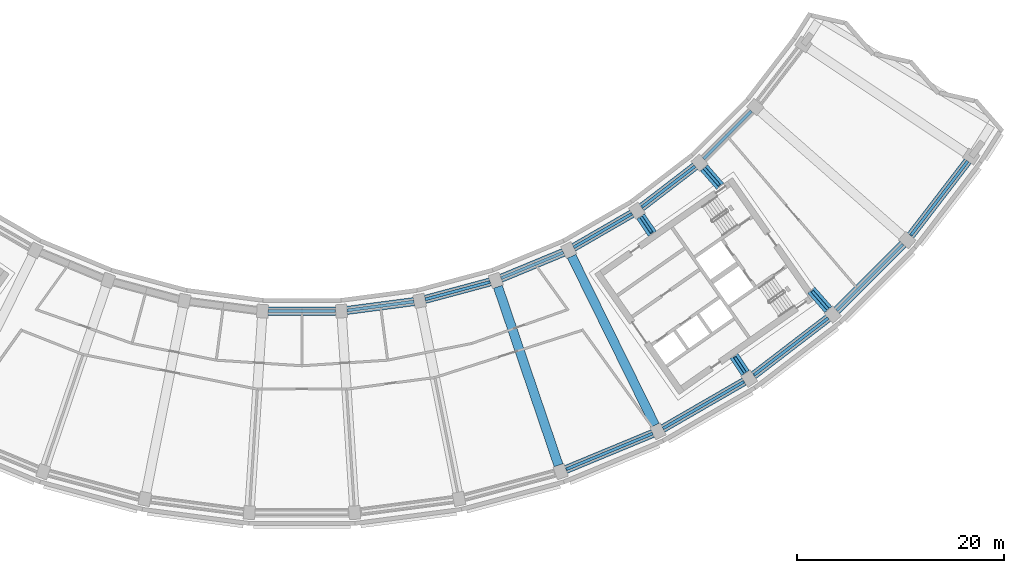
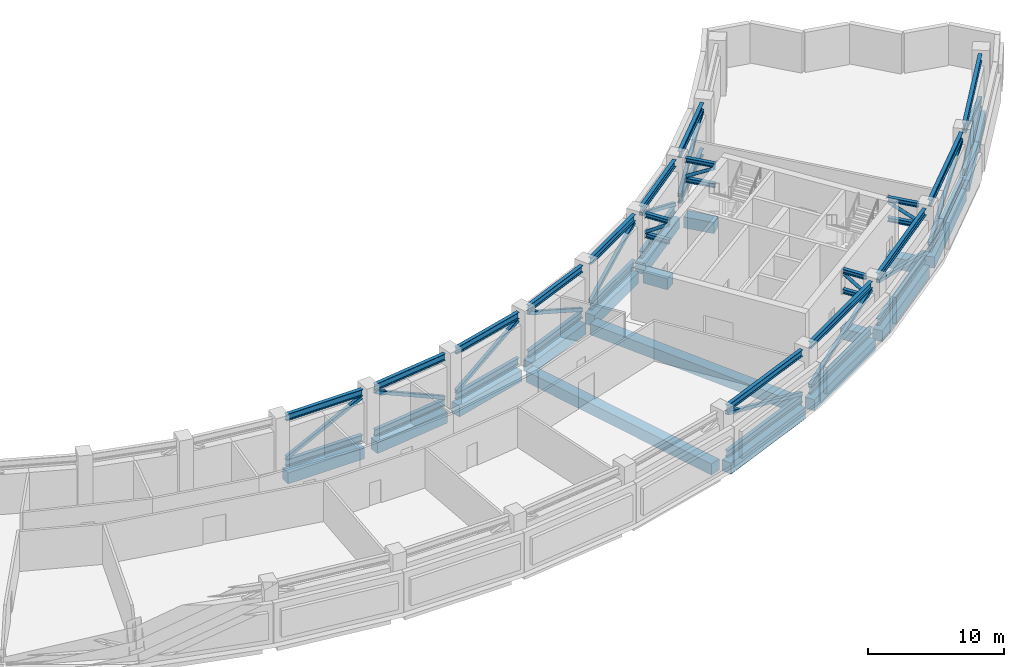
# One storey, part 3 of 24: 48 members, 17 beams.
"""IFC4 building model written with IfcOpenShell, lengths in metres."""

import ifcopenshell
import ifcopenshell.guid

model = None  # the IFC model being written
_history = None  # IfcOwnerHistory: only IFC2X3 demands one
_inside = {}  # id of a spatial element -> (the spatial element, [elements in it])
_under = {}  # id of a project, library or spatial element -> (it, [spatial elements below it])
_declared = {}  # id of a project -> (the project, [libraries it declares])
_typed = {}  # id of a type object -> (the type object, [elements of that type])
_made_of = {}  # id of a material, layer set ... -> (it, [elements and type objects made of it])


def new_model(schema):
    """Start an empty IFC model of exactly this schema.

    Asked for "IFC4X3", IfcOpenShell would pick the latest addendum, in which some entities
    have other attributes; the version numbers below select the first issue.
    IFC2X3 requires an IfcOwnerHistory on every rooted entity: one is made here for all.
    """
    global model, _history
    if schema == "IFC4X3":
        model = ifcopenshell.file(schema_version=(4, 3, 0, 0))
    else:
        model = ifcopenshell.file(schema=schema)
    _inside.clear()
    _under.clear()
    _declared.clear()
    _typed.clear()
    _made_of.clear()
    _history = None
    if model.schema == "IFC2X3":
        org = make("IfcOrganization", Name="unknown")
        user = make(
            "IfcPersonAndOrganization",
            ThePerson=make("IfcPerson", FamilyName="unknown"),
            TheOrganization=org,
        )
        app = make(
            "IfcApplication",
            ApplicationDeveloper=org,
            Version="unknown",
            ApplicationFullName="unknown",
            ApplicationIdentifier="unknown",
        )
        _history = make(
            "IfcOwnerHistory",
            OwningUser=user,
            OwningApplication=app,
            ChangeAction="ADDED",
            CreationDate=0,
        )
    return model


def make(cls, **values):
    """One entity of the class cls with the attributes given. An attribute that is None is left unset."""
    return model.create_entity(
        cls, **{name: value for name, value in values.items() if value is not None}
    )


def rooted(cls, **values):
    """An entity with a GlobalId (a new one), such as an element, a storey or a relation."""
    return make(cls, GlobalId=ifcopenshell.guid.new(), OwnerHistory=_history, **values)


def si_unit(unit_type, name, prefix=None):
    """IfcSIUnit, for example si_unit("LENGTHUNIT", "METRE", prefix="MILLI")."""
    return make("IfcSIUnit", UnitType=unit_type, Prefix=prefix, Name=name)


def assignment(units):
    """IfcUnitAssignment: the units of a project."""
    return None if units is None else make("IfcUnitAssignment", Units=units)


def point(xyz):
    """IfcCartesianPoint."""
    return None if xyz is None else make("IfcCartesianPoint", Coordinates=xyz)


def direction(xyz):
    """IfcDirection."""
    return None if xyz is None else make("IfcDirection", DirectionRatios=xyz)


def frame(location, z_axis=None, x_axis=None):
    """IfcAxis2Placement3D, a coordinate frame: its origin and axes. An axis left out is left unset."""
    return make(
        "IfcAxis2Placement3D",
        Location=point(location),
        Axis=direction(z_axis),
        RefDirection=direction(x_axis),
    )


def frame_2d(location, x_axis=None):
    """IfcAxis2Placement2D, a coordinate frame in the plane: its origin and x axis."""
    return make(
        "IfcAxis2Placement2D", Location=point(location), RefDirection=direction(x_axis)
    )


def origin():
    """The frame at (0, 0, 0) with its axes left unset."""
    return frame((0.0, 0.0, 0.0))


def origin_2d():
    """The frame at (0, 0) in the plane with its x axis left unset."""
    return frame_2d((0.0, 0.0))


def place(relative_to, where):
    """IfcLocalPlacement: puts the frame where relative to a parent placement (None: the world)."""
    return make(
        "IfcLocalPlacement", PlacementRelTo=relative_to, RelativePlacement=where
    )


def context(
    kind, dimensions, precision=None, world=None, true_north=None, identifier=None
):
    """IfcGeometricRepresentationContext, for example the 3D "Model" context."""
    return make(
        "IfcGeometricRepresentationContext",
        ContextIdentifier=identifier,
        ContextType=kind,
        CoordinateSpaceDimension=dimensions,
        Precision=precision,
        WorldCoordinateSystem=world,
        TrueNorth=true_north,
    )


def subcontext(parent, identifier, kind, view, scale=None):
    """IfcGeometricRepresentationSubContext, for example "Body" below "Model"."""
    return make(
        "IfcGeometricRepresentationSubContext",
        ContextIdentifier=identifier,
        ContextType=kind,
        ParentContext=parent,
        TargetScale=scale,
        TargetView=view,
    )


def project(units=None, contexts=None):
    """IfcProject with its units and contexts."""
    return rooted(
        "IfcProject",
        Name="project",
        RepresentationContexts=contexts,
        UnitsInContext=assignment(units),
    )


def spatial(cls, under=None, at=None, **own):
    """A site, building, storey or space (cls), placed at a placement, below another one or the project."""
    s = rooted(cls, ObjectPlacement=at, **own)
    if under is not None:
        _under.setdefault(under.id(), (under, []))[1].append(s)
    return s


def profile(cls, at=None, kind="AREA", **sizes):
    """A parametric profile (cls). Its sizes go by their IFC names, for example OverallWidth=200.0."""
    return make(cls, ProfileType=kind, Position=at, **sizes)


def rectangle(**sizes):
    """IfcRectangleProfileDef."""
    return profile("IfcRectangleProfileDef", **sizes)


def hollow_rectangle(**sizes):
    """IfcRectangleHollowProfileDef."""
    return profile("IfcRectangleHollowProfileDef", **sizes)


def hollow_circle(**sizes):
    """IfcCircleHollowProfileDef."""
    return profile("IfcCircleHollowProfileDef", **sizes)


def i_section(**sizes):
    """IfcIShapeProfileDef."""
    return profile("IfcIShapeProfileDef", **sizes)


def extrude(swept, where, along, depth):
    """IfcExtrudedAreaSolid: the profile swept, set in the frame where, extruded along a direction by depth."""
    return make(
        "IfcExtrudedAreaSolid",
        SweptArea=swept,
        Position=where,
        ExtrudedDirection=direction(along),
        Depth=depth,
    )


def shape(context_of_items, identifier, shape_type, items):
    """IfcShapeRepresentation: the items that make up one representation, for example the "Body"."""
    return make(
        "IfcShapeRepresentation",
        ContextOfItems=context_of_items,
        RepresentationIdentifier=identifier,
        RepresentationType=shape_type,
        Items=items,
    )


def material(Name=None, Category=None):
    """IfcMaterial."""
    return make("IfcMaterial", Name=Name, Category=Category)


def material_profile(
    of_material, cross_section, Name=None, Category=None, Priority=None
):
    """IfcMaterialProfile: a cross section and its material."""
    return make(
        "IfcMaterialProfile",
        Name=Name,
        Material=of_material,
        Profile=cross_section,
        Priority=Priority,
        Category=Category,
    )


def profile_set(profiles, Name=None, composite=None):
    """IfcMaterialProfileSet."""
    return make(
        "IfcMaterialProfileSet",
        Name=Name,
        MaterialProfiles=profiles,
        CompositeProfile=composite,
    )


def made_of(thing, what):
    """Note that an element or type object is made of a material, layer set ...; save() writes the relation."""
    if what is not None:
        _made_of.setdefault(what.id(), (what, []))[1].append(thing)
    return thing


def type_object(cls, material=None, **own):
    """A type object (cls), such as IfcWallType, which elements share."""
    return made_of(rooted(cls, **own), material)


def element(
    cls,
    number,
    at=None,
    inside=None,
    cuts=None,
    type_object=None,
    material=None,
    context=None,
    identifier="Body",
    shape_type=None,
    held_by="IfcProductDefinitionShape",
    body=None,
    shapes=None,
    **own,
):
    """One element of the class cls, such as IfcWall. Its Tag is "e" and its number.

    at: its placement. inside: the storey or other place that contains it. cuts: it is an
    opening in that element (IfcRelVoidsElement). A single representation is given by context,
    identifier, shape_type and body (its items); several are given by shapes. held_by: the class
    of the entity that holds the representations. save() writes the other relations.
    """
    e = rooted(cls, Tag="e%d" % number, ObjectPlacement=at, **own)
    if body is not None:
        shapes = [shape(context, identifier, shape_type, body)]
    if shapes is not None:
        e.Representation = make(held_by, Representations=shapes)
    if inside is not None:
        _inside.setdefault(inside.id(), (inside, []))[1].append(e)
    if cuts is not None:
        rooted(
            "IfcRelVoidsElement", RelatingBuildingElement=cuts, RelatedOpeningElement=e
        )
    if type_object is not None:
        _typed.setdefault(type_object.id(), (type_object, []))[1].append(e)
    return made_of(e, material)


def aggregate(whole, parts):
    """IfcRelAggregates: a whole, such as a stair, and the parts it consists of."""
    return rooted("IfcRelAggregates", RelatingObject=whole, RelatedObjects=parts)


def save(model, path):
    """Write the relations noted so far, then the file.

    IfcRelAggregates (storeys below a building ...), IfcRelContainedInSpatialStructure (elements
    in a storey), IfcRelDefinesByType, IfcRelAssociatesMaterial and IfcRelDeclares: one each for
    every whole, place, type object, material and project.
    """
    for whole, parts in _under.values():
        aggregate(whole, parts)
    for where, things in _inside.values():
        rooted(
            "IfcRelContainedInSpatialStructure",
            RelatedElements=things,
            RelatingStructure=where,
        )
    for kind, things in _typed.values():
        rooted("IfcRelDefinesByType", RelatedObjects=things, RelatingType=kind)
    for what, things in _made_of.values():
        rooted("IfcRelAssociatesMaterial", RelatedObjects=things, RelatingMaterial=what)
    for by, libraries in _declared.values():
        rooted("IfcRelDeclares", RelatingContext=by, RelatedDefinitions=libraries)
    model.write(path)


model = new_model("IFC4")

# Units and contexts
model_context = context("Model", 3, precision=1e-05, world=origin(), true_north=direction((0.0, 1.0)))
body_context = subcontext(model_context, "Body", "Model", "MODEL_VIEW")
ifc_project = project(units=[si_unit("LENGTHUNIT", "METRE"), si_unit("AREAUNIT", "SQUARE_METRE"), si_unit("VOLUMEUNIT", "CUBIC_METRE"), si_unit("PLANEANGLEUNIT", "RADIAN"), si_unit("MASSUNIT", "GRAM", prefix="KILO")], contexts=[model_context])

# Site, building, storey
site_placement = place(None, origin())
site = spatial("IfcSite", under=ifc_project, at=site_placement, CompositionType="ELEMENT")
building_placement = place(site_placement, origin())
building = spatial("IfcBuilding", under=site, at=building_placement, Name="Qamariyya Broadcast Tower", CompositionType="ELEMENT")
storey_placement = place(building_placement, frame((0.0, 0.0, 198.699951171875)))
storey = spatial("IfcBuildingStorey", under=building, at=storey_placement, Name="L47", CompositionType="ELEMENT", Elevation=198.699951171875)

# Members
ifc_material_1 = material(Name="Steel S355", Category="steel")
ifc_material_profile_1 = material_profile(ifc_material_1, i_section(OverallWidth=0.300048828125, OverallDepth=0.60009765625, WebThickness=0.015380859375, FlangeThickness=0.030029296875, FilletRadius=0.027099609375, at=origin_2d()))
ifc_profile_set_1 = profile_set([ifc_material_profile_1], Name="Steel S355")
member_type_1 = type_object("IfcMemberType", Name="Belt truss bottom chord HEB 600", PredefinedType="CHORD", material=ifc_profile_set_1)
for number, where, z_axis, x_axis, name in (
    (1, (-3.258544921875, -58.125244140625, 0.300048828125), (1.0, 0.0, 0.0), (0.0, 1.0, 0.0), "Belt truss bottom chord T22 L47 B-R10"),
    (2, (4.356201171875, -58.05322265625, 0.300048828125), (0.991446388377, 0.130514592953, 0.0), (-0.130514592953, 0.991446388377, 0.0), "Belt truss bottom chord T22 L47 B-R11"),
    (3, (11.896484375, -56.988037109375, 0.300048828125), (0.965923971679, 0.258825966504, 0.0), (-0.258825966504, 0.965923971679, 0.0), "Belt truss bottom chord T22 L47 B-R12"),
    (4, (19.233154296875, -54.94775390625, 0.300048828125), (0.923883967792, 0.382672724475, 0.0), (-0.382672724475, 0.923883967792, 0.0), "Belt truss bottom chord T22 L47 B-R13"),
):
    element("IfcMember", number, at=place(storey_placement, frame(where, z_axis=z_axis, x_axis=x_axis)), inside=storey, type_object=member_type_1, Name=name, PredefinedType="CHORD", context=body_context, shape_type="SweptSolid", body=[
        extrude(i_section(OverallWidth=0.300048828125, OverallDepth=0.60009765625, WebThickness=0.015380859375, FlangeThickness=0.030029296875, FilletRadius=0.027099609375, at=origin_2d()), origin(), (0.0, 0.0, 1.0), 6.51708984375),
    ])
member_1_placement = place(storey_placement, frame((26.24072265625, -51.96728515625, 0.300048828125), z_axis=(0.866019015165, 0.500011065251, 0.0), x_axis=(-0.500011065251, 0.866019015165, 0.0)))
element("IfcMember", 5, at=member_1_placement, inside=storey, type_object=member_type_1, Name="Belt truss bottom chord T22 L47 B-R14", PredefinedType="CHORD", context=body_context, shape_type="SweptSolid", body=[
    extrude(i_section(OverallWidth=0.300048828125, OverallDepth=0.60009765625, WebThickness=0.015380859375, FlangeThickness=0.030029296875, FilletRadius=0.027099609375, at=origin_2d()), origin(), (0.0, 0.0, 1.0), 6.516845703125),
])
for number, where, z_axis, x_axis, name in (
    (6, (32.79931640625, -48.09765625, 0.300048828125), (0.793343406719, 0.608774374473, 0.0), (-0.608774374473, 0.793343406719, 0.0), "Belt truss bottom chord T22 L47 B-R15"),
    (7, (38.796630859375, -43.405029296875, 0.300048828125), (0.707106781187, 0.707106781187, 0.0), (-0.707106781187, 0.707106781187, 0.0), "Belt truss bottom chord T22 L47 B-R16"),
):
    element("IfcMember", number, at=place(storey_placement, frame(where, z_axis=z_axis, x_axis=x_axis)), inside=storey, type_object=member_type_1, Name=name, PredefinedType="CHORD", context=body_context, shape_type="SweptSolid", body=[
        extrude(i_section(OverallWidth=0.300048828125, OverallDepth=0.60009765625, WebThickness=0.015380859375, FlangeThickness=0.030029296875, FilletRadius=0.027099609375, at=origin_2d()), origin(), (0.0, 0.0, 1.0), 6.517333984375),
    ])
member_2_placement = place(storey_placement, frame((25.501220703125, -73.412841796875, 0.300048828125), z_axis=(0.923882618409, 0.382675982265, 0.0), x_axis=(-0.382675982265, 0.923882618409, 0.0)))
element("IfcMember", 8, at=member_2_placement, inside=storey, type_object=member_type_1, Name="Belt truss bottom chord T22 L47 C-R13", PredefinedType="CHORD", context=body_context, shape_type="SweptSolid", body=[
    extrude(i_section(OverallWidth=0.300048828125, OverallDepth=0.60009765625, WebThickness=0.015380859375, FlangeThickness=0.030029296875, FilletRadius=0.027099609375, at=origin_2d()), origin(), (0.0, 0.0, 1.0), 9.067626953125),
])
for number, where, z_axis, x_axis, name in (
    (9, (34.865234375, -69.456298828125, 0.300048828125), (0.866025972227, 0.499999015427, 0.0), (-0.499999015427, 0.866025972227, 0.0), "Belt truss bottom chord T22 L47 C-R14"),
    (10, (43.6328125, -64.311279296875, 0.300048828125), (0.793351056372, 0.608764405458, 0.0), (-0.608764405458, 0.793351056372, 0.0), "Belt truss bottom chord T22 L47 C-R15"),
):
    element("IfcMember", number, at=place(storey_placement, frame(where, z_axis=z_axis, x_axis=x_axis)), inside=storey, type_object=member_type_1, Name=name, PredefinedType="CHORD", context=body_context, shape_type="SweptSolid", body=[
        extrude(i_section(OverallWidth=0.300048828125, OverallDepth=0.60009765625, WebThickness=0.015380859375, FlangeThickness=0.030029296875, FilletRadius=0.027099609375, at=origin_2d()), origin(), (0.0, 0.0, 1.0), 9.06787109375),
    ])
member_3_placement = place(storey_placement, frame((51.65380859375, -58.06591796875, 0.300048828125), z_axis=(0.707106781187, 0.707106781187, 0.0), x_axis=(-0.707106781187, 0.707106781187, 0.0)))
element("IfcMember", 11, at=member_3_placement, inside=storey, type_object=member_type_1, Name="Belt truss bottom chord T22 L47 C-R16", PredefinedType="CHORD", context=body_context, shape_type="SweptSolid", body=[
    extrude(i_section(OverallWidth=0.300048828125, OverallDepth=0.60009765625, WebThickness=0.015380859375, FlangeThickness=0.030029296875, FilletRadius=0.027099609375, at=origin_2d()), origin(), (0.0, 0.0, 1.0), 9.068115234375),
])
member_4_placement = place(storey_placement, frame((58.791015625, -50.826904296875, 0.300048828125), z_axis=(0.608764405458, 0.793351056372, 0.0), x_axis=(-0.793351056372, 0.608764405458, 0.0)))
element("IfcMember", 12, at=member_4_placement, inside=storey, type_object=member_type_1, Name="Belt truss bottom chord T22 L47 C-R17", PredefinedType="CHORD", context=body_context, shape_type="SweptSolid", body=[
    extrude(i_section(OverallWidth=0.300048828125, OverallDepth=0.60009765625, WebThickness=0.015380859375, FlangeThickness=0.030029296875, FilletRadius=0.027099609375, at=origin_2d()), origin(), (0.0, 0.0, 1.0), 9.06787109375),
])
ifc_material_profile_2 = material_profile(ifc_material_1, hollow_rectangle(XDim=0.300048828125, YDim=0.300048828125, WallThickness=0.012451171875, InnerFilletRadius=0.012451171875, OuterFilletRadius=0.02490234375, at=origin_2d()))
ifc_profile_set_2 = profile_set([ifc_material_profile_2], Name="Steel S355")
member_type_2 = type_object("IfcMemberType", Name="Belt truss diagonal RHS 300x300x12.5", PredefinedType="BRACE", material=ifc_profile_set_2)
for number, where, z_axis, x_axis, name in (
    (13, (-3.188720703125, -58.125244140625, 0.73388671875), (0.891968951846, 0.0, 0.452096658849), (0.0, 1.0, 0.0), "Belt truss diagonal T23 L47 B-R10"),
    (14, (4.42529296875, -58.044189453125, 3.96630859375), (0.88434371349, 0.116403247974, -0.452091230032), (-0.130501054603, 0.99144817048, 0.0), "Belt truss diagonal T23 L47 B-R11"),
    (15, (11.9638671875, -56.969970703125, 0.73388671875), (0.861575724242, 0.230862138221, 0.452095061389), (-0.258822830303, 0.96592481204, 0.0), "Belt truss diagonal T23 L47 B-R12"),
    (16, (19.297607421875, -54.921142578125, 3.96630859375), (0.824071228663, 0.341354109263, -0.452088467204), (-0.382695518313, 0.923874526255, 0.0), "Belt truss diagonal T23 L47 B-R13"),
    (17, (26.301025390625, -51.932373046875, 0.73388671875), (0.772477196316, 0.445976424925, 0.452088497512), (-0.499988655183, 0.866031953618, 0.0), "Belt truss diagonal T23 L47 B-R14"),
    (18, (32.854736328125, -48.05517578125, 3.96630859375), (0.707634703159, 0.543018465757, -0.452088567353), (-0.608783487274, 0.793336413901, 0.0), "Belt truss diagonal T23 L47 B-R15"),
    (19, (38.845947265625, -43.35546875, 0.73388671875), (0.630716991992, 0.630716991992, 0.452097502787), (-0.707106781187, 0.707106781187, 0.0), "Belt truss diagonal T23 L47 B-R16"),
):
    element("IfcMember", number, at=place(storey_placement, frame(where, z_axis=z_axis, x_axis=x_axis)), inside=storey, type_object=member_type_2, Name=name, PredefinedType="BRACE", context=body_context, shape_type="SweptSolid", body=[
        extrude(hollow_rectangle(XDim=0.300048828125, YDim=0.300048828125, WallThickness=0.012451171875, InnerFilletRadius=0.012451171875, OuterFilletRadius=0.02490234375, at=origin_2d()), origin(), (0.0, 0.0, 1.0), 7.14990234375),
    ])
member_5_placement = place(storey_placement, frame((25.5498046875, -73.392822265625, 3.958984375), z_axis=(0.869531881657, 0.360185558598, -0.337906303817), x_axis=(-0.38269582082, 0.923874400948, 0.0)))
element("IfcMember", 20, at=member_5_placement, inside=storey, type_object=member_type_2, Name="Belt truss diagonal T23 L47 C-R13", PredefinedType="BRACE", context=body_context, shape_type="SweptSolid", body=[
    extrude(hollow_rectangle(XDim=0.300048828125, YDim=0.300048828125, WallThickness=0.012451171875, InnerFilletRadius=0.012451171875, OuterFilletRadius=0.02490234375, at=origin_2d()), origin(), (0.0, 0.0, 1.0), 9.522705078125),
])
member_6_placement = place(storey_placement, frame((34.910888671875, -69.429931640625, 0.7412109375), z_axis=(0.815085795478, 0.470586933065, 0.337909876208), x_axis=(-0.499997553305, 0.86602681638, 0.0)))
element("IfcMember", 21, at=member_6_placement, inside=storey, type_object=member_type_2, Name="Belt truss diagonal T23 L47 C-R14", PredefinedType="BRACE", context=body_context, shape_type="SweptSolid", body=[
    extrude(hollow_rectangle(XDim=0.300048828125, YDim=0.300048828125, WallThickness=0.012451171875, InnerFilletRadius=0.012451171875, OuterFilletRadius=0.02490234375, at=origin_2d()), origin(), (0.0, 0.0, 1.0), 9.5224609375),
])
member_7_placement = place(storey_placement, frame((43.674560546875, -64.279052734375, 3.958984375), z_axis=(0.746704930442, 0.572930989891, -0.337908016591), x_axis=(-0.608737450656, 0.793371738952, 0.0)))
element("IfcMember", 22, at=member_7_placement, inside=storey, type_object=member_type_2, Name="Belt truss diagonal T23 L47 C-R15", PredefinedType="BRACE", context=body_context, shape_type="SweptSolid", body=[
    extrude(hollow_rectangle(XDim=0.300048828125, YDim=0.300048828125, WallThickness=0.012451171875, InnerFilletRadius=0.012451171875, OuterFilletRadius=0.02490234375, at=origin_2d()), origin(), (0.0, 0.0, 1.0), 9.522705078125),
])
member_8_placement = place(storey_placement, frame((51.691162109375, -58.028564453125, 0.7412109375), z_axis=(0.665513629985, 0.665513629985, 0.337910071778), x_axis=(-0.707106781187, 0.707106781187, 0.0)))
element("IfcMember", 23, at=member_8_placement, inside=storey, type_object=member_type_2, Name="Belt truss diagonal T23 L47 C-R16", PredefinedType="BRACE", context=body_context, shape_type="SweptSolid", body=[
    extrude(hollow_rectangle(XDim=0.300048828125, YDim=0.300048828125, WallThickness=0.012451171875, InnerFilletRadius=0.012451171875, OuterFilletRadius=0.02490234375, at=origin_2d()), origin(), (0.0, 0.0, 1.0), 9.5224609375),
])
member_9_placement = place(storey_placement, frame((58.8232421875, -50.78515625, 3.958984375), z_axis=(0.572930989891, 0.746704930442, -0.337908016591), x_axis=(-0.793371738952, 0.608737450656, 0.0)))
element("IfcMember", 24, at=member_9_placement, inside=storey, type_object=member_type_2, Name="Belt truss diagonal T23 L47 C-R17", PredefinedType="BRACE", context=body_context, shape_type="SweptSolid", body=[
    extrude(hollow_rectangle(XDim=0.300048828125, YDim=0.300048828125, WallThickness=0.012451171875, InnerFilletRadius=0.012451171875, OuterFilletRadius=0.02490234375, at=origin_2d()), origin(), (0.0, 0.0, 1.0), 9.522705078125),
])
ifc_material_profile_3 = material_profile(ifc_material_1, i_section(OverallWidth=0.300048828125, OverallDepth=0.60009765625, WebThickness=0.015380859375, FlangeThickness=0.030029296875, FilletRadius=0.027099609375, at=origin_2d()))
ifc_profile_set_3 = profile_set([ifc_material_profile_3], Name="Steel S355")
member_type_3 = type_object("IfcMemberType", Name="Belt truss top chord HEB 600", PredefinedType="CHORD", material=ifc_profile_set_3)
for number, where, z_axis, x_axis, name in (
    (25, (-3.258544921875, -58.125244140625, 4.400146484375), (1.0, 0.0, 0.0), (0.0, 1.0, 0.0), "Belt truss top chord T21 L47 B-R10"),
    (26, (4.356201171875, -58.05322265625, 4.400146484375), (0.991446388377, 0.130514592953, 0.0), (-0.130514592953, 0.991446388377, 0.0), "Belt truss top chord T21 L47 B-R11"),
    (27, (11.896484375, -56.988037109375, 4.400146484375), (0.965923971679, 0.258825966504, 0.0), (-0.258825966504, 0.965923971679, 0.0), "Belt truss top chord T21 L47 B-R12"),
    (28, (19.233154296875, -54.94775390625, 4.400146484375), (0.923883967792, 0.382672724475, 0.0), (-0.382672724475, 0.923883967792, 0.0), "Belt truss top chord T21 L47 B-R13"),
):
    element("IfcMember", number, at=place(storey_placement, frame(where, z_axis=z_axis, x_axis=x_axis)), inside=storey, type_object=member_type_3, Name=name, PredefinedType="CHORD", context=body_context, shape_type="SweptSolid", body=[
        extrude(i_section(OverallWidth=0.300048828125, OverallDepth=0.60009765625, WebThickness=0.015380859375, FlangeThickness=0.030029296875, FilletRadius=0.027099609375, at=origin_2d()), origin(), (0.0, 0.0, 1.0), 6.51708984375),
    ])
member_10_placement = place(storey_placement, frame((26.24072265625, -51.96728515625, 4.400146484375), z_axis=(0.866019015165, 0.500011065251, 0.0), x_axis=(-0.500011065251, 0.866019015165, 0.0)))
element("IfcMember", 29, at=member_10_placement, inside=storey, type_object=member_type_3, Name="Belt truss top chord T21 L47 B-R14", PredefinedType="CHORD", context=body_context, shape_type="SweptSolid", body=[
    extrude(i_section(OverallWidth=0.300048828125, OverallDepth=0.60009765625, WebThickness=0.015380859375, FlangeThickness=0.030029296875, FilletRadius=0.027099609375, at=origin_2d()), origin(), (0.0, 0.0, 1.0), 6.516845703125),
])
for number, where, z_axis, x_axis, name in (
    (30, (32.79931640625, -48.09765625, 4.400146484375), (0.793343406719, 0.608774374473, 0.0), (-0.608774374473, 0.793343406719, 0.0), "Belt truss top chord T21 L47 B-R15"),
    (31, (38.796630859375, -43.405029296875, 4.400146484375), (0.707106781187, 0.707106781187, 0.0), (-0.707106781187, 0.707106781187, 0.0), "Belt truss top chord T21 L47 B-R16"),
):
    element("IfcMember", number, at=place(storey_placement, frame(where, z_axis=z_axis, x_axis=x_axis)), inside=storey, type_object=member_type_3, Name=name, PredefinedType="CHORD", context=body_context, shape_type="SweptSolid", body=[
        extrude(i_section(OverallWidth=0.300048828125, OverallDepth=0.60009765625, WebThickness=0.015380859375, FlangeThickness=0.030029296875, FilletRadius=0.027099609375, at=origin_2d()), origin(), (0.0, 0.0, 1.0), 6.517333984375),
    ])
member_11_placement = place(storey_placement, frame((25.501220703125, -73.412841796875, 4.400146484375), z_axis=(0.923882618409, 0.382675982265, 0.0), x_axis=(-0.382675982265, 0.923882618409, 0.0)))
element("IfcMember", 32, at=member_11_placement, inside=storey, type_object=member_type_3, Name="Belt truss top chord T21 L47 C-R13", PredefinedType="CHORD", context=body_context, shape_type="SweptSolid", body=[
    extrude(i_section(OverallWidth=0.300048828125, OverallDepth=0.60009765625, WebThickness=0.015380859375, FlangeThickness=0.030029296875, FilletRadius=0.027099609375, at=origin_2d()), origin(), (0.0, 0.0, 1.0), 9.067626953125),
])
for number, where, z_axis, x_axis, name in (
    (33, (34.865234375, -69.456298828125, 4.400146484375), (0.866025972227, 0.499999015427, 0.0), (-0.499999015427, 0.866025972227, 0.0), "Belt truss top chord T21 L47 C-R14"),
    (34, (43.6328125, -64.311279296875, 4.400146484375), (0.793351056372, 0.608764405458, 0.0), (-0.608764405458, 0.793351056372, 0.0), "Belt truss top chord T21 L47 C-R15"),
):
    element("IfcMember", number, at=place(storey_placement, frame(where, z_axis=z_axis, x_axis=x_axis)), inside=storey, type_object=member_type_3, Name=name, PredefinedType="CHORD", context=body_context, shape_type="SweptSolid", body=[
        extrude(i_section(OverallWidth=0.300048828125, OverallDepth=0.60009765625, WebThickness=0.015380859375, FlangeThickness=0.030029296875, FilletRadius=0.027099609375, at=origin_2d()), origin(), (0.0, 0.0, 1.0), 9.06787109375),
    ])
member_12_placement = place(storey_placement, frame((51.65380859375, -58.06591796875, 4.400146484375), z_axis=(0.707106781187, 0.707106781187, 0.0), x_axis=(-0.707106781187, 0.707106781187, 0.0)))
element("IfcMember", 35, at=member_12_placement, inside=storey, type_object=member_type_3, Name="Belt truss top chord T21 L47 C-R16", PredefinedType="CHORD", context=body_context, shape_type="SweptSolid", body=[
    extrude(i_section(OverallWidth=0.300048828125, OverallDepth=0.60009765625, WebThickness=0.015380859375, FlangeThickness=0.030029296875, FilletRadius=0.027099609375, at=origin_2d()), origin(), (0.0, 0.0, 1.0), 9.068115234375),
])
member_13_placement = place(storey_placement, frame((58.791015625, -50.826904296875, 4.400146484375), z_axis=(0.608764405458, 0.793351056372, 0.0), x_axis=(-0.793351056372, 0.608764405458, 0.0)))
element("IfcMember", 36, at=member_13_placement, inside=storey, type_object=member_type_3, Name="Belt truss top chord T21 L47 C-R17", PredefinedType="CHORD", context=body_context, shape_type="SweptSolid", body=[
    extrude(i_section(OverallWidth=0.300048828125, OverallDepth=0.60009765625, WebThickness=0.015380859375, FlangeThickness=0.030029296875, FilletRadius=0.027099609375, at=origin_2d()), origin(), (0.0, 0.0, 1.0), 9.06787109375),
])
ifc_material_profile_4 = material_profile(ifc_material_1, i_section(OverallWidth=0.300048828125, OverallDepth=0.389892578125, WebThickness=0.010986328125, FlangeThickness=0.01904296875, FilletRadius=0.027099609375, at=origin_2d()))
ifc_profile_set_4 = profile_set([ifc_material_profile_4], Name="Steel S355")
member_type_4 = type_object("IfcMemberType", Name="Outrigger truss bottom chord HEA 400", PredefinedType="CHORD", material=ifc_profile_set_4)
member_14_placement = place(storey_placement, frame((32.734130859375, -48.990234375, 2.695068359375), z_axis=(0.555653520219, -0.831413955541, 0.0), x_axis=(0.831413955541, 0.555653520219, 0.0)))
element("IfcMember", 37, at=member_14_placement, inside=storey, type_object=member_type_4, Name="Outrigger truss bottom chord T25 L47 R15", PredefinedType="CHORD", context=body_context, shape_type="SweptSolid", body=[
    extrude(i_section(OverallWidth=0.300048828125, OverallDepth=0.389892578125, WebThickness=0.010986328125, FlangeThickness=0.01904296875, FilletRadius=0.027099609375, at=origin_2d()), origin(), (0.0, 0.0, 1.0), 1.949462890625),
])
member_15_placement = place(storey_placement, frame((41.75830078125, -62.49560546875, 2.695068359375), z_axis=(0.555522834647, -0.831501280929, 0.0), x_axis=(0.831501280929, 0.555522834647, 0.0)))
element("IfcMember", 38, at=member_15_placement, inside=storey, type_object=member_type_4, Name="Outrigger truss bottom chord T25 L47 R15", PredefinedType="CHORD", context=body_context, shape_type="SweptSolid", body=[
    extrude(i_section(OverallWidth=0.300048828125, OverallDepth=0.389892578125, WebThickness=0.010986328125, FlangeThickness=0.01904296875, FilletRadius=0.027099609375, at=origin_2d()), origin(), (0.0, 0.0, 1.0), 1.9169921875),
])
member_16_placement = place(storey_placement, frame((38.8486328125, -44.29833984375, 2.695068359375), z_axis=(0.659293574612, -0.751885617947, 0.0), x_axis=(0.751885617947, 0.659293574612, 0.0)))
element("IfcMember", 39, at=member_16_placement, inside=storey, type_object=member_type_4, Name="Outrigger truss bottom chord T25 L47 R16", PredefinedType="CHORD", context=body_context, shape_type="SweptSolid", body=[
    extrude(i_section(OverallWidth=0.300048828125, OverallDepth=0.389892578125, WebThickness=0.010986328125, FlangeThickness=0.01904296875, FilletRadius=0.027099609375, at=origin_2d()), origin(), (0.0, 0.0, 1.0), 2.29931640625),
])
member_17_placement = place(storey_placement, frame((49.22412109375, -56.12939453125, 2.695068359375), z_axis=(0.659309986611, -0.751871226711, 0.0), x_axis=(0.751871226711, 0.659309986611, 0.0)))
element("IfcMember", 40, at=member_17_placement, inside=storey, type_object=member_type_4, Name="Outrigger truss bottom chord T25 L47 R16", PredefinedType="CHORD", context=body_context, shape_type="SweptSolid", body=[
    extrude(i_section(OverallWidth=0.300048828125, OverallDepth=0.389892578125, WebThickness=0.010986328125, FlangeThickness=0.01904296875, FilletRadius=0.027099609375, at=origin_2d()), origin(), (0.0, 0.0, 1.0), 2.424072265625),
])
ifc_material_profile_5 = material_profile(ifc_material_1, hollow_circle(Radius=0.136474609375, WallThickness=0.012451171875, at=origin_2d()))
ifc_profile_set_5 = profile_set([ifc_material_profile_5], Name="Steel S355")
member_type_5 = type_object("IfcMemberType", Name="Outrigger truss diagonal CHS 273x12.5", PredefinedType="BRACE", material=ifc_profile_set_5)
member_18_placement = place(storey_placement, frame((32.77734375, -49.0546875, 3.003662109375), z_axis=(0.462669394686, -0.692474325478, 0.553548859428), x_axis=(0.831484675161, 0.555547689197, 0.0)))
element("IfcMember", 41, at=member_18_placement, inside=storey, type_object=member_type_5, Name="Outrigger truss diagonal T26 L47 R15", PredefinedType="BRACE", context=body_context, shape_type="SweptSolid", body=[
    extrude(hollow_circle(Radius=0.136474609375, WallThickness=0.012451171875, at=origin_2d()), origin(), (0.0, 0.0, 1.0), 2.154541015625),
])
member_19_placement = place(storey_placement, frame((41.802001953125, -62.56103515625, 4.197021484375), z_axis=(0.459683781528, -0.688033192481, -0.561516827036), x_axis=(0.831494900489, 0.555532384709, 0.0)))
element("IfcMember", 42, at=member_19_placement, inside=storey, type_object=member_type_5, Name="Outrigger truss diagonal T26 L47 R15", PredefinedType="BRACE", context=body_context, shape_type="SweptSolid", body=[
    extrude(hollow_circle(Radius=0.136474609375, WallThickness=0.012451171875, at=origin_2d()), origin(), (0.0, 0.0, 1.0), 2.12646484375),
])
member_20_placement = place(storey_placement, frame((38.89306640625, -44.34912109375, 3.010009765625), z_axis=(0.578872334247, -0.660082824252, 0.478745742301), x_axis=(0.751842498658, 0.659342746385, 0.0)))
element("IfcMember", 43, at=member_20_placement, inside=storey, type_object=member_type_5, Name="Outrigger truss diagonal T26 L47 R16", PredefinedType="BRACE", context=body_context, shape_type="SweptSolid", body=[
    extrude(hollow_circle(Radius=0.136474609375, WallThickness=0.012451171875, at=origin_2d()), origin(), (0.0, 0.0, 1.0), 2.465087890625),
])
member_21_placement = place(storey_placement, frame((49.266357421875, -56.177734375, 4.1884765625), z_axis=(0.586755104263, -0.66899545678, -0.456249412525), x_axis=(0.751805359255, 0.659385093702, 0.0)))
element("IfcMember", 44, at=member_21_placement, inside=storey, type_object=member_type_5, Name="Outrigger truss diagonal T26 L47 R16", PredefinedType="BRACE", context=body_context, shape_type="SweptSolid", body=[
    extrude(hollow_circle(Radius=0.136474609375, WallThickness=0.012451171875, at=origin_2d()), origin(), (0.0, 0.0, 1.0), 2.579833984375),
])
ifc_material_profile_6 = material_profile(ifc_material_1, i_section(OverallWidth=0.300048828125, OverallDepth=0.389892578125, WebThickness=0.010986328125, FlangeThickness=0.01904296875, FilletRadius=0.027099609375, at=origin_2d()))
ifc_profile_set_6 = profile_set([ifc_material_profile_6], Name="Steel S355")
member_type_6 = type_object("IfcMemberType", Name="Outrigger truss top chord HEA 400", PredefinedType="CHORD", material=ifc_profile_set_6)
member_22_placement = place(storey_placement, frame((32.734130859375, -48.990234375, 4.505126953125), z_axis=(0.555653520219, -0.831413955541, 0.0), x_axis=(0.831413955541, 0.555653520219, 0.0)))
element("IfcMember", 45, at=member_22_placement, inside=storey, type_object=member_type_6, Name="Outrigger truss top chord T24 L47 R15", PredefinedType="CHORD", context=body_context, shape_type="SweptSolid", body=[
    extrude(i_section(OverallWidth=0.300048828125, OverallDepth=0.389892578125, WebThickness=0.010986328125, FlangeThickness=0.01904296875, FilletRadius=0.027099609375, at=origin_2d()), origin(), (0.0, 0.0, 1.0), 1.949462890625),
])
member_23_placement = place(storey_placement, frame((41.75830078125, -62.49560546875, 4.505126953125), z_axis=(0.555522834647, -0.831501280929, 0.0), x_axis=(0.831501280929, 0.555522834647, 0.0)))
element("IfcMember", 46, at=member_23_placement, inside=storey, type_object=member_type_6, Name="Outrigger truss top chord T24 L47 R15", PredefinedType="CHORD", context=body_context, shape_type="SweptSolid", body=[
    extrude(i_section(OverallWidth=0.300048828125, OverallDepth=0.389892578125, WebThickness=0.010986328125, FlangeThickness=0.01904296875, FilletRadius=0.027099609375, at=origin_2d()), origin(), (0.0, 0.0, 1.0), 1.9169921875),
])
member_24_placement = place(storey_placement, frame((38.8486328125, -44.29833984375, 4.505126953125), z_axis=(0.659293574612, -0.751885617947, 0.0), x_axis=(0.751885617947, 0.659293574612, 0.0)))
element("IfcMember", 47, at=member_24_placement, inside=storey, type_object=member_type_6, Name="Outrigger truss top chord T24 L47 R16", PredefinedType="CHORD", context=body_context, shape_type="SweptSolid", body=[
    extrude(i_section(OverallWidth=0.300048828125, OverallDepth=0.389892578125, WebThickness=0.010986328125, FlangeThickness=0.01904296875, FilletRadius=0.027099609375, at=origin_2d()), origin(), (0.0, 0.0, 1.0), 2.29931640625),
])
member_25_placement = place(storey_placement, frame((49.22412109375, -56.12939453125, 4.505126953125), z_axis=(0.659309986611, -0.751871226711, 0.0), x_axis=(0.751871226711, 0.659309986611, 0.0)))
element("IfcMember", 48, at=member_25_placement, inside=storey, type_object=member_type_6, Name="Outrigger truss top chord T24 L47 R16", PredefinedType="CHORD", context=body_context, shape_type="SweptSolid", body=[
    extrude(i_section(OverallWidth=0.300048828125, OverallDepth=0.389892578125, WebThickness=0.010986328125, FlangeThickness=0.01904296875, FilletRadius=0.027099609375, at=origin_2d()), origin(), (0.0, 0.0, 1.0), 2.424072265625),
])

# Beams
ifc_material_2 = material(Name="Concrete C40/50", Category="concrete")
ifc_material_profile_7 = material_profile(ifc_material_2, rectangle(XDim=0.800048828125, YDim=1.0, at=origin_2d()))
ifc_profile_set_7 = profile_set([ifc_material_profile_7], Name="Concrete C40/50")
beam_type_1 = type_object("IfcBeamType", Name="RC edge beam 800 x 1000 C40/50", PredefinedType="SPANDREL", material=ifc_profile_set_7)
for number, where, z_axis, x_axis, name in (
    (49, (-3.258544921875, -58.125244140625, -0.89990234375), (1.0, 0.0, 0.0), (0.0, 1.0, 0.0), "Edge beam B24 L47 B R10-R11"),
    (50, (4.356201171875, -58.05322265625, -0.89990234375), (0.991446388377, 0.130514592953, 0.0), (-0.130514592953, 0.991446388377, 0.0), "Edge beam B24 L47 B R11-R12"),
    (51, (11.896484375, -56.988037109375, -0.89990234375), (0.965923971679, 0.258825966504, 0.0), (-0.258825966504, 0.965923971679, 0.0), "Edge beam B24 L47 B R12-R13"),
    (52, (19.233154296875, -54.94775390625, -0.89990234375), (0.923883967792, 0.382672724475, 0.0), (-0.382672724475, 0.923883967792, 0.0), "Edge beam B24 L47 B R13-R14"),
):
    element("IfcBeam", number, at=place(storey_placement, frame(where, z_axis=z_axis, x_axis=x_axis)), inside=storey, type_object=beam_type_1, Name=name, PredefinedType="SPANDREL", context=body_context, shape_type="SweptSolid", body=[
        extrude(rectangle(XDim=0.800048828125, YDim=1.0, at=origin_2d()), origin(), (0.0, 0.0, 1.0), 6.51708984375),
    ])
beam_1_placement = place(storey_placement, frame((26.24072265625, -51.96728515625, -0.89990234375), z_axis=(0.866019015165, 0.500011065251, 0.0), x_axis=(-0.500011065251, 0.866019015165, 0.0)))
element("IfcBeam", 53, at=beam_1_placement, inside=storey, type_object=beam_type_1, Name="Edge beam B24 L47 B R14-R15", PredefinedType="SPANDREL", context=body_context, shape_type="SweptSolid", body=[
    extrude(rectangle(XDim=0.800048828125, YDim=1.0, at=origin_2d()), origin(), (0.0, 0.0, 1.0), 6.516845703125),
])
beam_2_placement = place(storey_placement, frame((32.79931640625, -48.09765625, -0.89990234375), z_axis=(0.793343406719, 0.608774374473, 0.0), x_axis=(-0.608774374473, 0.793343406719, 0.0)))
element("IfcBeam", 54, at=beam_2_placement, inside=storey, type_object=beam_type_1, Name="Edge beam B24 L47 B R15-R16", PredefinedType="SPANDREL", context=body_context, shape_type="SweptSolid", body=[
    extrude(rectangle(XDim=0.800048828125, YDim=1.0, at=origin_2d()), origin(), (0.0, 0.0, 1.0), 6.517333984375),
])
beam_3_placement = place(storey_placement, frame((25.501220703125, -73.412841796875, -0.89990234375), z_axis=(0.923882618409, 0.382675982265, 0.0), x_axis=(-0.382675982265, 0.923882618409, 0.0)))
element("IfcBeam", 55, at=beam_3_placement, inside=storey, type_object=beam_type_1, Name="Edge beam B24 L47 C R13-R14", PredefinedType="SPANDREL", context=body_context, shape_type="SweptSolid", body=[
    extrude(rectangle(XDim=0.800048828125, YDim=1.0, at=origin_2d()), origin(), (0.0, 0.0, 1.0), 9.067626953125),
])
for number, where, z_axis, x_axis, name in (
    (56, (34.865234375, -69.456298828125, -0.89990234375), (0.866025972227, 0.499999015427, 0.0), (-0.499999015427, 0.866025972227, 0.0), "Edge beam B24 L47 C R14-R15"),
    (57, (43.6328125, -64.311279296875, -0.89990234375), (0.793351056372, 0.608764405458, 0.0), (-0.608764405458, 0.793351056372, 0.0), "Edge beam B24 L47 C R15-R16"),
):
    element("IfcBeam", number, at=place(storey_placement, frame(where, z_axis=z_axis, x_axis=x_axis)), inside=storey, type_object=beam_type_1, Name=name, PredefinedType="SPANDREL", context=body_context, shape_type="SweptSolid", body=[
        extrude(rectangle(XDim=0.800048828125, YDim=1.0, at=origin_2d()), origin(), (0.0, 0.0, 1.0), 9.06787109375),
    ])
beam_4_placement = place(storey_placement, frame((51.65380859375, -58.06591796875, -0.89990234375), z_axis=(0.707106781187, 0.707106781187, 0.0), x_axis=(-0.707106781187, 0.707106781187, 0.0)))
element("IfcBeam", 58, at=beam_4_placement, inside=storey, type_object=beam_type_1, Name="Edge beam B24 L47 C R16-R17", PredefinedType="SPANDREL", context=body_context, shape_type="SweptSolid", body=[
    extrude(rectangle(XDim=0.800048828125, YDim=1.0, at=origin_2d()), origin(), (0.0, 0.0, 1.0), 9.068115234375),
])
beam_5_placement = place(storey_placement, frame((58.791015625, -50.826904296875, -0.89990234375), z_axis=(0.608764405458, 0.793351056372, 0.0), x_axis=(-0.793351056372, 0.608764405458, 0.0)))
element("IfcBeam", 59, at=beam_5_placement, inside=storey, type_object=beam_type_1, Name="Edge beam B24 L47 C R17-R18", PredefinedType="SPANDREL", context=body_context, shape_type="SweptSolid", body=[
    extrude(rectangle(XDim=0.800048828125, YDim=1.0, at=origin_2d()), origin(), (0.0, 0.0, 1.0), 9.06787109375),
])
ifc_material_profile_8 = material_profile(ifc_material_2, rectangle(XDim=0.89990234375, YDim=1.0, at=origin_2d()))
ifc_profile_set_8 = profile_set([ifc_material_profile_8], Name="Concrete C40/50")
beam_type_2 = type_object("IfcBeamType", Name="RC radial beam 900 x 1000 C40/50", PredefinedType="BEAM", material=ifc_profile_set_8)
beam_6_placement = place(storey_placement, frame((18.932861328125, -55.774169921875, -0.89990234375), z_axis=(0.321434466477, -0.946931826353, 0.0), x_axis=(0.946931826353, 0.321434466477, 0.0)))
element("IfcBeam", 60, at=beam_6_placement, inside=storey, type_object=beam_type_2, Name="Radial beam B23 L47 R13 B-C", PredefinedType="BEAM", context=body_context, shape_type="SweptSolid", body=[
    extrude(rectangle(XDim=0.89990234375, YDim=1.0, at=origin_2d()), origin(), (0.0, 0.0, 1.0), 18.199951171875),
])
beam_7_placement = place(storey_placement, frame((26.05078125, -52.82568359375, -0.89990234375), z_axis=(0.44228110273, -0.896876483228, 0.0), x_axis=(0.896876483228, 0.44228110273, 0.0)))
element("IfcBeam", 61, at=beam_7_placement, inside=storey, type_object=beam_type_2, Name="Radial beam B23 L47 R14 B-C", PredefinedType="BEAM", context=body_context, shape_type="SweptSolid", body=[
    extrude(rectangle(XDim=0.89990234375, YDim=1.0, at=origin_2d()), origin(), (0.0, 0.0, 1.0), 18.2001953125),
])
beam_8_placement = place(storey_placement, frame((32.72314453125, -48.9736328125, -0.89990234375), z_axis=(0.555594913414, -0.83145312086, 0.0), x_axis=(0.83145312086, 0.555594913414, 0.0)))
element("IfcBeam", 62, at=beam_8_placement, inside=storey, type_object=beam_type_2, Name="Radial beam B23 L47 R15 B-C", PredefinedType="BEAM", context=body_context, shape_type="SweptSolid", body=[
    extrude(rectangle(XDim=0.89990234375, YDim=1.0, at=origin_2d()), origin(), (0.0, 0.0, 1.0), 2.014404296875),
])
beam_9_placement = place(storey_placement, frame((41.733154296875, -62.458251953125, -0.89990234375), z_axis=(0.555637861027, -0.831424420734, 0.0), x_axis=(0.831424420734, 0.555637861027, 0.0)))
element("IfcBeam", 63, at=beam_9_placement, inside=storey, type_object=beam_type_2, Name="Radial beam B23 L47 R15 B-C", PredefinedType="BEAM", context=body_context, shape_type="SweptSolid", body=[
    extrude(rectangle(XDim=0.89990234375, YDim=1.0, at=origin_2d()), origin(), (0.0, 0.0, 1.0), 1.982177734375),
])
beam_10_placement = place(storey_placement, frame((38.83544921875, -44.283447265625, -0.89990234375), z_axis=(0.659381501846, -0.751808509544, 0.0), x_axis=(0.751808509544, 0.659381501846, 0.0)))
element("IfcBeam", 64, at=beam_10_placement, inside=storey, type_object=beam_type_2, Name="Radial beam B23 L47 R16 B-C", PredefinedType="BEAM", context=body_context, shape_type="SweptSolid", body=[
    extrude(rectangle(XDim=0.89990234375, YDim=1.0, at=origin_2d()), origin(), (0.0, 0.0, 1.0), 2.364013671875),
])
beam_11_placement = place(storey_placement, frame((49.1943359375, -56.095458984375, -0.89990234375), z_axis=(0.659344451764, -0.75184100309, 0.0), x_axis=(0.75184100309, 0.659344451764, 0.0)))
element("IfcBeam", 65, at=beam_11_placement, inside=storey, type_object=beam_type_2, Name="Radial beam B23 L47 R16 B-C", PredefinedType="BEAM", context=body_context, shape_type="SweptSolid", body=[
    extrude(rectangle(XDim=0.89990234375, YDim=1.0, at=origin_2d()), origin(), (0.0, 0.0, 1.0), 2.489013671875),
])

save(model, "model.ifc")
